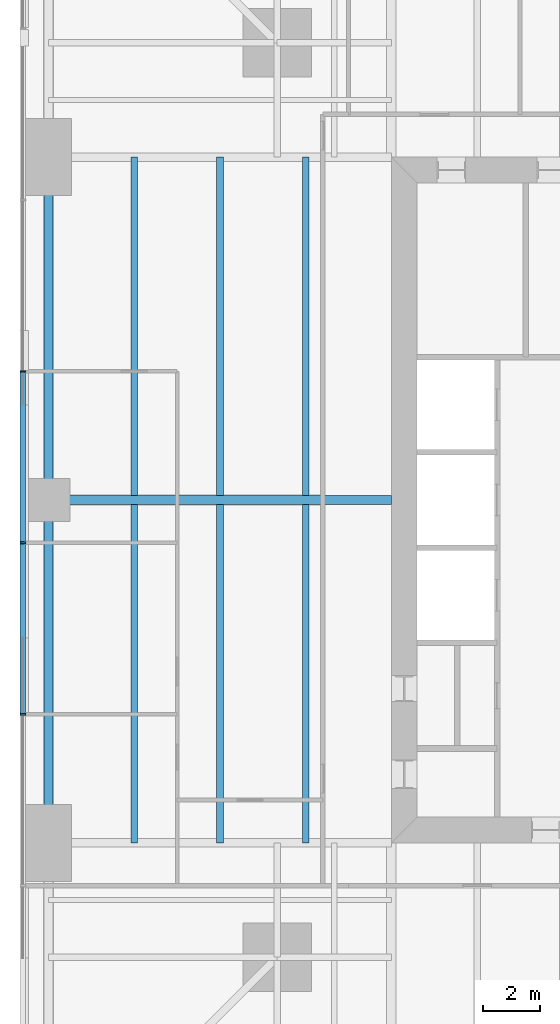
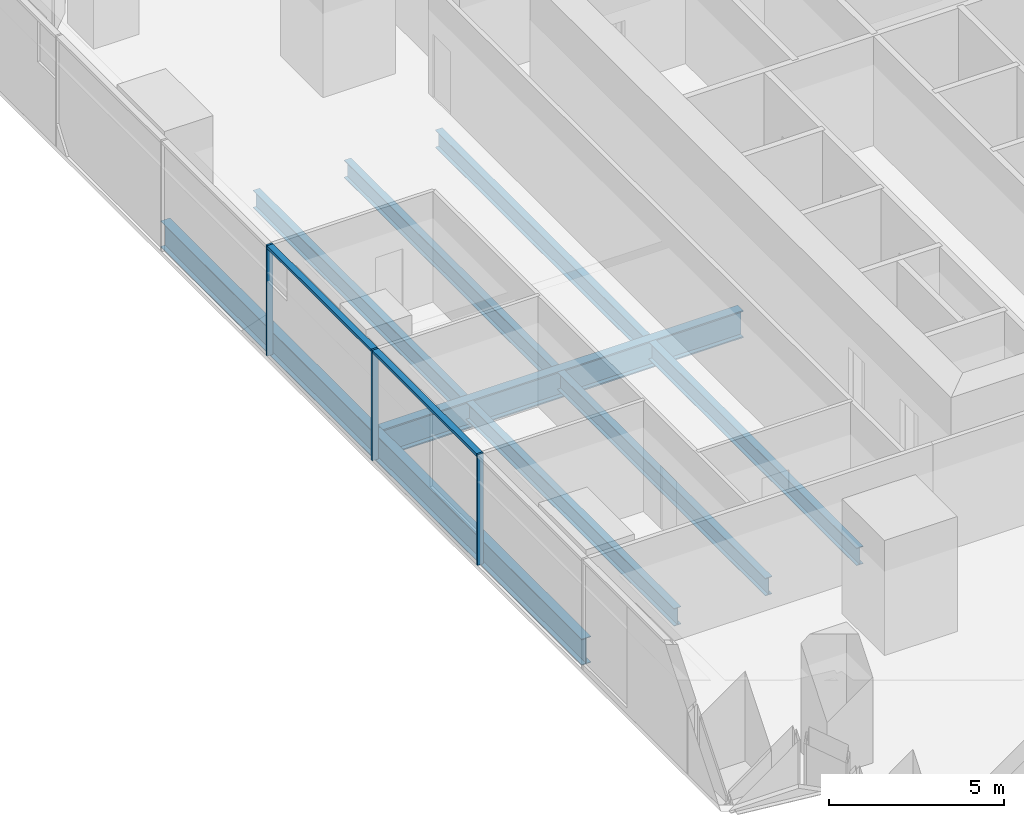
# One storey, part 4 of 13: 9 beams, 5 members, 1 element without a shape of its own.
"""IFC4 building model written with IfcOpenShell, lengths in metres."""

from ifc_helpers import new_model, si_unit, direction, frame, origin, origin_2d, place, context, subcontext, project, spatial, rectangle, i_section, extrude, material, material_profile, profile_set, type_object, element, aggregate, save


model = new_model("IFC4")

# Units and contexts
model_context = context("Model", 3, precision=1e-05, world=origin(), true_north=direction((0.0, 1.0)))
body_context = subcontext(model_context, "Body", "Model", "MODEL_VIEW")
ifc_project = project(units=[si_unit("LENGTHUNIT", "METRE"), si_unit("AREAUNIT", "SQUARE_METRE"), si_unit("VOLUMEUNIT", "CUBIC_METRE"), si_unit("PLANEANGLEUNIT", "RADIAN"), si_unit("MASSUNIT", "GRAM", prefix="KILO")], contexts=[model_context])

# Site, building, storey
site_placement = place(None, origin())
site = spatial("IfcSite", under=ifc_project, at=site_placement, CompositionType="ELEMENT")
building_placement = place(site_placement, origin())
building = spatial("IfcBuilding", under=site, at=building_placement, Name="Fenwick Lantern Interchange", CompositionType="ELEMENT")
storey_placement = place(building_placement, frame((0.0, 0.0, 39.0)))
storey = spatial("IfcBuildingStorey", under=building, at=storey_placement, Name="L08", CompositionType="ELEMENT", Elevation=39.0)

# Beams
ifc_material_1 = material(Name="Steel ASTM A992 Grade 50", Category="steel")
ifc_material_profile_1 = material_profile(ifc_material_1, i_section(OverallWidth=0.3046875, OverallDepth=0.911865234375, WebThickness=0.015869140625, FlangeThickness=0.02392578125, at=origin_2d()), Name="W36X150")
ifc_profile_set_1 = profile_set([ifc_material_profile_1], Name="Steel ASTM A992 Grade 50")
beam_type_1 = type_object("IfcBeamType", Name="EDGE BEAM W36X150", PredefinedType="SPANDREL", material=ifc_profile_set_1)
for number, where, z_axis, x_axis, name in (
    (1, (1.0, 37.0, -0.60595703125), (0.0, -1.0, 0.0), (1.0, 0.0, 0.0), "L08/FR/W/EB2"),
    (2, (1.0, 25.0, -0.60595703125), (0.0, -1.0, 0.0), (1.0, 0.0, 0.0), "L08/FR/W/EB3"),
):
    element("IfcBeam", number, at=place(storey_placement, frame(where, z_axis=z_axis, x_axis=x_axis)), inside=storey, type_object=beam_type_1, Name=name, PredefinedType="SPANDREL", context=body_context, shape_type="SweptSolid", body=[
        extrude(i_section(OverallWidth=0.3046875, OverallDepth=0.911865234375, WebThickness=0.015869140625, FlangeThickness=0.02392578125, at=origin_2d()), origin(), (0.0, 0.0, 1.0), 12.0),
    ])
ifc_material_profile_2 = material_profile(ifc_material_1, i_section(OverallWidth=0.22900390625, OverallDepth=0.612060546875, WebThickness=0.011962890625, FlangeThickness=0.01953125, at=origin_2d()), Name="W24X84")
ifc_profile_set_2 = profile_set([ifc_material_profile_2], Name="Steel ASTM A992 Grade 50")
beam_type_2 = type_object("IfcBeamType", Name="FLOOR BEAM W24X84", PredefinedType="BEAM", material=ifc_profile_set_2)
for number, where, z_axis, x_axis, name in (
    (3, (4.0, 37.0, -0.4560546875), (0.0, -1.0, 0.0), (1.0, 0.0, 0.0), "L08/FR/W/B01"),
    (4, (7.0, 37.0, -0.4560546875), (0.0, -1.0, 0.0), (1.0, 0.0, 0.0), "L08/FR/W/B02"),
    (5, (10.0, 37.0, -0.4560546875), (0.0, -1.0, 0.0), (1.0, 0.0, 0.0), "L08/FR/W/B03"),
    (6, (4.0, 24.844970703125, -0.4560546875), (0.0, -1.0, 0.0), (1.0, 0.0, 0.0), "L08/FR/W/B04"),
    (7, (7.0, 24.844970703125, -0.4560546875), (0.0, -1.0, 0.0), (1.0, 0.0, 0.0), "L08/FR/W/B05"),
    (8, (10.0, 24.844970703125, -0.4560546875), (0.0, -1.0, 0.0), (1.0, 0.0, 0.0), "L08/FR/W/B06"),
):
    element("IfcBeam", number, at=place(storey_placement, frame(where, z_axis=z_axis, x_axis=x_axis)), inside=storey, type_object=beam_type_2, Name=name, PredefinedType="BEAM", context=body_context, shape_type="SweptSolid", body=[
        extrude(i_section(OverallWidth=0.22900390625, OverallDepth=0.612060546875, WebThickness=0.011962890625, FlangeThickness=0.01953125, at=origin_2d()), origin(), (0.0, 0.0, 1.0), 11.844970703125),
    ])
ifc_material_profile_3 = material_profile(ifc_material_1, i_section(OverallWidth=0.309814453125, OverallDepth=0.949951171875, WebThickness=0.0244140625, FlangeThickness=0.0439453125, at=origin_2d()), Name="W36X256")
ifc_profile_set_3 = profile_set([ifc_material_profile_3], Name="Steel ASTM A992 Grade 50")
beam_type_3 = type_object("IfcBeamType", Name="MOMENT-CONNECTED GIRDER W36X256", PredefinedType="BEAM", material=ifc_profile_set_3)
beam_placement = place(storey_placement, frame((1.0, 25.0, -0.625), z_axis=(1.0, 0.0, 0.0), x_axis=(0.0, 1.0, 0.0)))
element("IfcBeam", 9, at=beam_placement, inside=storey, type_object=beam_type_3, Name="L08/FR/W/R02", PredefinedType="BEAM", context=body_context, shape_type="SweptSolid", body=[
    extrude(i_section(OverallWidth=0.309814453125, OverallDepth=0.949951171875, WebThickness=0.0244140625, FlangeThickness=0.0439453125, at=origin_2d()), origin(), (0.0, 0.0, 1.0), 12.0),
])

# Curtain wall, members
ifc_material_2 = material(Name="Aluminium curtain wall frame", Category="aluminium")
curtain_wall_type = type_object("IfcCurtainWallType", Name="OFFICE CURTAIN WALL", PredefinedType="USERDEFINED", material=ifc_material_2)
curtain_wall_placement = place(storey_placement, origin())
curtain_wall = element("IfcCurtainWall", 10, at=curtain_wall_placement, inside=storey, type_object=curtain_wall_type, Name="Office curtain wall 13", ObjectType="OFFICE CURTAIN WALL", PredefinedType="USERDEFINED")
ifc_material_3 = material(Name="Aluminium extrusion", Category="aluminium")
ifc_material_profile_4 = material_profile(ifc_material_3, rectangle(XDim=0.199951171875, YDim=0.06494140625, at=origin_2d()), Name="OFFICE CURTAIN WALL MULLION 65 X 200")
ifc_profile_set_4 = profile_set([ifc_material_profile_4], Name="Aluminium extrusion")
member_type_1 = type_object("IfcMemberType", Name="OFFICE CURTAIN WALL MULLION 65 X 200", PredefinedType="MULLION", material=ifc_profile_set_4)
member_1_placement = place(storey_placement, frame((0.10009765625, 29.5, 0.0), z_axis=(0.0, 0.0, 1.0), x_axis=(1.0, 0.0, 0.0)))
member_1 = element("IfcMember", 11, at=member_1_placement, type_object=member_type_1, Name="L08/CW/13/M03", PredefinedType="MULLION", context=body_context, shape_type="SweptSolid", body=[
    extrude(rectangle(XDim=0.199951171875, YDim=0.06494140625, at=origin_2d()), origin(), (0.0, 0.0, 1.0), 3.85009765625),
])
member_2_placement = place(storey_placement, frame((0.10009765625, 23.5, 0.0), z_axis=(0.0, 0.0, 1.0), x_axis=(1.0, 0.0, 0.0)))
member_2 = element("IfcMember", 12, at=member_2_placement, type_object=member_type_1, Name="L08/CW/13/M04", PredefinedType="MULLION", context=body_context, shape_type="SweptSolid", body=[
    extrude(rectangle(XDim=0.199951171875, YDim=0.06494140625, at=origin_2d()), origin(), (0.0, 0.0, 1.0), 3.85009765625),
])
member_3_placement = place(storey_placement, frame((0.10009765625, 17.5, 0.0), z_axis=(0.0, 0.0, 1.0), x_axis=(1.0, 0.0, 0.0)))
member_3 = element("IfcMember", 13, at=member_3_placement, type_object=member_type_1, Name="L08/CW/13/M05", PredefinedType="MULLION", context=body_context, shape_type="SweptSolid", body=[
    extrude(rectangle(XDim=0.199951171875, YDim=0.06494140625, at=origin_2d()), origin(), (0.0, 0.0, 1.0), 3.85009765625),
])
ifc_material_profile_5 = material_profile(ifc_material_3, rectangle(XDim=0.199951171875, YDim=0.10009765625, at=origin_2d()), Name="OFFICE CURTAIN WALL TRANSOM 100 X 200")
ifc_profile_set_5 = profile_set([ifc_material_profile_5], Name="Aluminium extrusion")
member_type_2 = type_object("IfcMemberType", Name="OFFICE CURTAIN WALL TRANSOM 100 X 200", PredefinedType="MULLION", material=ifc_profile_set_5)
member_4_placement = place(storey_placement, frame((0.10009765625, 29.467529296875, 3.800048828125), z_axis=(0.0, -1.0, 0.0), x_axis=(1.0, 0.0, 0.0)))
member_4 = element("IfcMember", 14, at=member_4_placement, type_object=member_type_2, Name="L08/CW/13/T03", PredefinedType="MULLION", context=body_context, shape_type="SweptSolid", body=[
    extrude(rectangle(XDim=0.199951171875, YDim=0.10009765625, at=origin_2d()), origin(), (0.0, 0.0, 1.0), 5.93505859375),
])
member_5_placement = place(storey_placement, frame((0.10009765625, 23.467529296875, 3.800048828125), z_axis=(0.0, -1.0, 0.0), x_axis=(1.0, 0.0, 0.0)))
member_5 = element("IfcMember", 15, at=member_5_placement, type_object=member_type_2, Name="L08/CW/13/T04", PredefinedType="MULLION", context=body_context, shape_type="SweptSolid", body=[
    extrude(rectangle(XDim=0.199951171875, YDim=0.10009765625, at=origin_2d()), origin(), (0.0, 0.0, 1.0), 5.93505859375),
])
aggregate(curtain_wall, [member_1, member_2, member_3, member_4, member_5])

save(model, "model.ifc")
